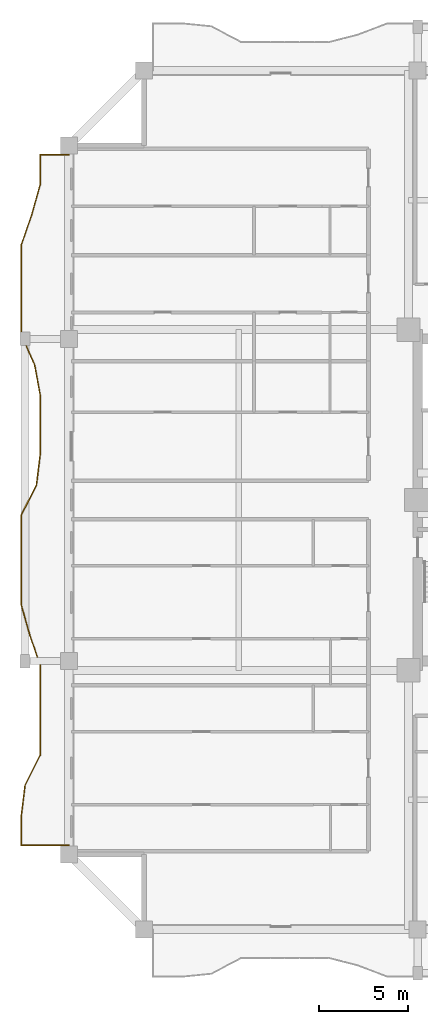
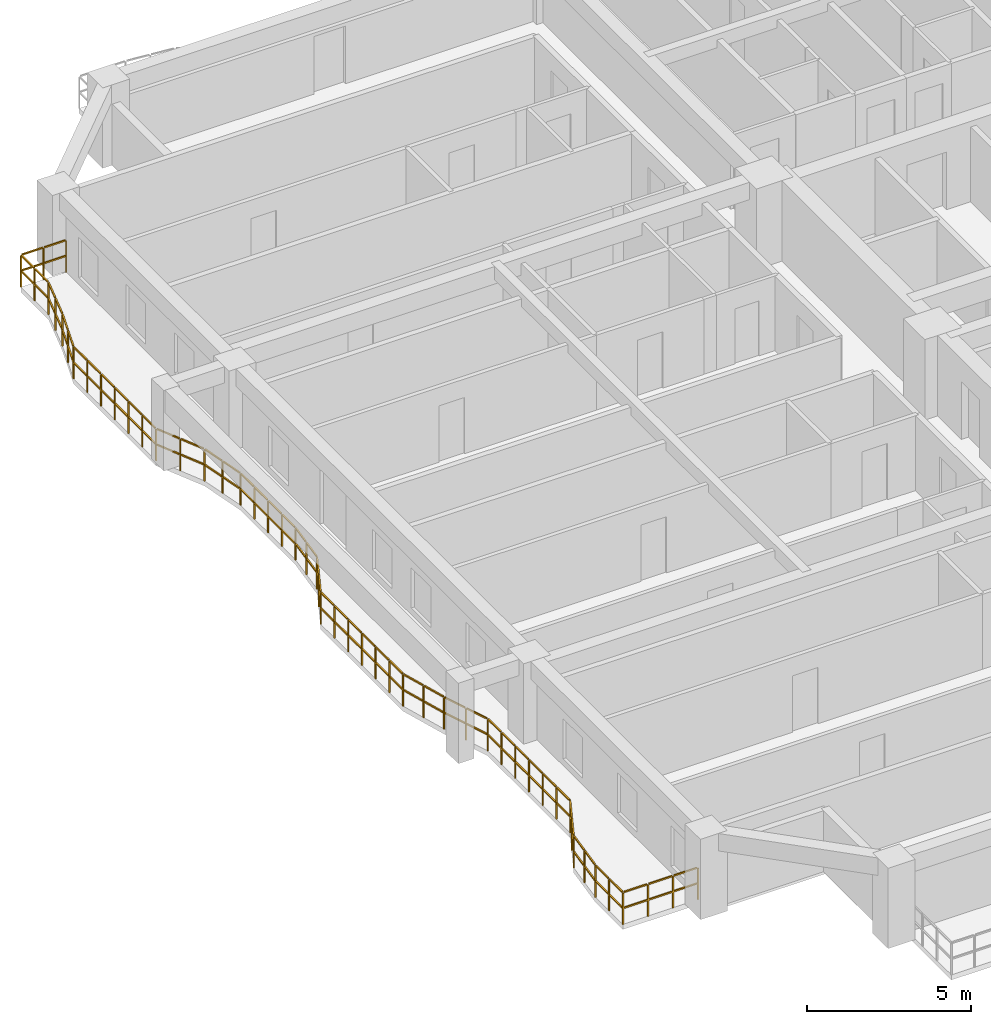
# One storey, part 11 of 14: 1 railing.
"""IFC4 building model written with IfcOpenShell, lengths in metres."""

from ifc_helpers import new_model, si_unit, direction, frame, origin, origin_2d, place, context, subcontext, project, spatial, rectangle, extrude, material, type_object, element, save


model = new_model("IFC4")

# Units and contexts
model_context = context("Model", 3, precision=1e-05, world=origin(), true_north=direction((0.0, 1.0)))
body_context = subcontext(model_context, "Body", "Model", "MODEL_VIEW")
ifc_project = project(units=[si_unit("LENGTHUNIT", "METRE"), si_unit("AREAUNIT", "SQUARE_METRE"), si_unit("VOLUMEUNIT", "CUBIC_METRE"), si_unit("PLANEANGLEUNIT", "RADIAN"), si_unit("MASSUNIT", "GRAM", prefix="KILO")], contexts=[model_context])

# Site, building, storey
site_placement = place(None, origin())
site = spatial("IfcSite", under=ifc_project, at=site_placement, CompositionType="ELEMENT")
building_placement = place(site_placement, origin())
building = spatial("IfcBuilding", under=site, at=building_placement, Name="Saelheon Loggia Tower", CompositionType="ELEMENT")
storey_placement = place(building_placement, frame((0.0, 0.0, 119.85009765625)))
storey = spatial("IfcBuildingStorey", under=building, at=storey_placement, Name="L38", CompositionType="ELEMENT", Elevation=119.85009765625)

# Railing
ifc_material = material(Name="Architectural Precast Concrete and Laminated Glass Guard", Category="concrete")
railing_type = type_object("IfcRailingType", Name="Guard_Loggia_RL_LOG", PredefinedType="BALUSTRADE", material=ifc_material)
railing_placement = place(storey_placement, frame((12.0, 46.300048828125, 0.0)))
element("IfcRailing", 1, at=railing_placement, inside=storey, type_object=railing_type, Name="L38 West Loggia Balustrade", PredefinedType="BALUSTRADE", context=body_context, shape_type="SweptSolid", body=[
    extrude(rectangle(XDim=0.048095703125, YDim=0.048095703125, at=origin_2d()), frame((-0.033203125, 0.0, 1.19580078125), z_axis=(-1.0, 0.0, 0.0), x_axis=(0.0, -1.0, 0.0)), (0.0, 0.0, 1.0), 0.733642578125),
    extrude(rectangle(XDim=0.048095703125, YDim=0.048095703125, at=origin_2d()), frame((-0.033203125, 0.0, 0.60986328125), z_axis=(-1.0, 0.0, 0.0), x_axis=(0.0, -1.0, 0.0)), (0.0, 0.0, 1.0), 0.733642578125),
    extrude(rectangle(XDim=0.048095703125, YDim=0.048095703125, at=origin_2d()), frame((-0.833251953125, 0.0, 1.19580078125), z_axis=(-1.0, 0.0, 0.0), x_axis=(0.0, -1.0, 0.0)), (0.0, 0.0, 1.0), 0.733642578125),
    extrude(rectangle(XDim=0.048095703125, YDim=0.048095703125, at=origin_2d()), frame((-0.833251953125, 0.0, 0.60986328125), z_axis=(-1.0, 0.0, 0.0), x_axis=(0.0, -1.0, 0.0)), (0.0, 0.0, 1.0), 0.733642578125),
    extrude(rectangle(XDim=0.048095703125, YDim=0.048095703125, at=origin_2d()), frame((-1.60009765625, -0.033203125, 1.19580078125), z_axis=(0.0, -1.0, 0.0), x_axis=(1.0, 0.0, 0.0)), (0.0, 0.0, 1.0), 0.772705078125),
    extrude(rectangle(XDim=0.048095703125, YDim=0.048095703125, at=origin_2d()), frame((-1.60009765625, -0.033203125, 0.60986328125), z_axis=(0.0, -1.0, 0.0), x_axis=(1.0, 0.0, 0.0)), (0.0, 0.0, 1.0), 0.772705078125),
    extrude(rectangle(XDim=0.048095703125, YDim=0.048095703125, at=origin_2d()), frame((-1.60009765625, -0.87255859375, 1.19580078125), z_axis=(0.0, -1.0, 0.0), x_axis=(1.0, 0.0, 0.0)), (0.0, 0.0, 1.0), 0.772705078125),
    extrude(rectangle(XDim=0.048095703125, YDim=0.048095703125, at=origin_2d()), frame((-1.60009765625, -0.87255859375, 0.60986328125), z_axis=(0.0, -1.0, 0.0), x_axis=(1.0, 0.0, 0.0)), (0.0, 0.0, 1.0), 0.772705078125),
    extrude(rectangle(XDim=0.048095703125, YDim=0.048095703125, at=origin_2d()), frame((-1.609130859375, -1.71044921875, 1.19580078125), z_axis=(-0.270741520797, -0.962652080929, 0.0), x_axis=(0.962652080929, -0.270741520797, 0.0)), (0.0, 0.0, 1.0), 0.80517578125),
    extrude(rectangle(XDim=0.048095703125, YDim=0.048095703125, at=origin_2d()), frame((-1.609130859375, -1.71044921875, 0.60986328125), z_axis=(-0.270741520797, -0.962652080929, 0.0), x_axis=(0.962652080929, -0.270741520797, 0.0)), (0.0, 0.0, 1.0), 0.80517578125),
    extrude(rectangle(XDim=0.048095703125, YDim=0.048095703125, at=origin_2d()), frame((-1.844970703125, -2.549560546875, 1.19580078125), z_axis=(-0.270741520797, -0.962652080929, 0.0), x_axis=(0.962652080929, -0.270741520797, 0.0)), (0.0, 0.0, 1.0), 0.80517578125),
    extrude(rectangle(XDim=0.048095703125, YDim=0.048095703125, at=origin_2d()), frame((-1.844970703125, -2.549560546875, 0.60986328125), z_axis=(-0.270741520797, -0.962652080929, 0.0), x_axis=(0.962652080929, -0.270741520797, 0.0)), (0.0, 0.0, 1.0), 0.80517578125),
    extrude(rectangle(XDim=0.048095703125, YDim=0.048095703125, at=origin_2d()), frame((-2.082763671875, -3.387939453125, 1.19580078125), z_axis=(-0.32553712792, -0.945529258323, 0.0), x_axis=(0.945529258323, -0.32553712792, 0.0)), (0.0, 0.0, 1.0), 0.821044921875),
    extrude(rectangle(XDim=0.048095703125, YDim=0.048095703125, at=origin_2d()), frame((-2.082763671875, -3.387939453125, 0.60986328125), z_axis=(-0.32553712792, -0.945529258323, 0.0), x_axis=(0.945529258323, -0.32553712792, 0.0)), (0.0, 0.0, 1.0), 0.821044921875),
    extrude(rectangle(XDim=0.048095703125, YDim=0.048095703125, at=origin_2d()), frame((-2.371826171875, -4.22705078125, 1.19580078125), z_axis=(-0.32553712792, -0.945529258323, 0.0), x_axis=(0.945529258323, -0.32553712792, 0.0)), (0.0, 0.0, 1.0), 0.821044921875),
    extrude(rectangle(XDim=0.048095703125, YDim=0.048095703125, at=origin_2d()), frame((-2.371826171875, -4.22705078125, 0.60986328125), z_axis=(-0.32553712792, -0.945529258323, 0.0), x_axis=(0.945529258323, -0.32553712792, 0.0)), (0.0, 0.0, 1.0), 0.821044921875),
    extrude(rectangle(XDim=0.048095703125, YDim=0.048095703125, at=origin_2d()), frame((-2.64990234375, -5.068115234375, 1.19580078125), z_axis=(0.0, -1.0, 0.0), x_axis=(1.0, 0.0, 0.0)), (0.0, 0.0, 1.0), 0.772705078125),
    extrude(rectangle(XDim=0.048095703125, YDim=0.048095703125, at=origin_2d()), frame((-2.64990234375, -5.068115234375, 0.60986328125), z_axis=(0.0, -1.0, 0.0), x_axis=(1.0, 0.0, 0.0)), (0.0, 0.0, 1.0), 0.772705078125),
    extrude(rectangle(XDim=0.048095703125, YDim=0.048095703125, at=origin_2d()), frame((-2.64990234375, -5.9072265625, 1.19580078125), z_axis=(0.0, -1.0, 0.0), x_axis=(1.0, 0.0, 0.0)), (0.0, 0.0, 1.0), 0.772705078125),
    extrude(rectangle(XDim=0.048095703125, YDim=0.048095703125, at=origin_2d()), frame((-2.64990234375, -5.9072265625, 0.60986328125), z_axis=(0.0, -1.0, 0.0), x_axis=(1.0, 0.0, 0.0)), (0.0, 0.0, 1.0), 0.772705078125),
    extrude(rectangle(XDim=0.048095703125, YDim=0.048095703125, at=origin_2d()), frame((-2.64990234375, -6.746337890625, 1.19580078125), z_axis=(0.0, -1.0, 0.0), x_axis=(1.0, 0.0, 0.0)), (0.0, 0.0, 1.0), 0.772705078125),
    extrude(rectangle(XDim=0.048095703125, YDim=0.048095703125, at=origin_2d()), frame((-2.64990234375, -6.746337890625, 0.60986328125), z_axis=(0.0, -1.0, 0.0), x_axis=(1.0, 0.0, 0.0)), (0.0, 0.0, 1.0), 0.772705078125),
    extrude(rectangle(XDim=0.048095703125, YDim=0.048095703125, at=origin_2d()), frame((-2.64990234375, -7.58544921875, 1.19580078125), z_axis=(0.0, -1.0, 0.0), x_axis=(1.0, 0.0, 0.0)), (0.0, 0.0, 1.0), 0.772705078125),
    extrude(rectangle(XDim=0.048095703125, YDim=0.048095703125, at=origin_2d()), frame((-2.64990234375, -7.58544921875, 0.60986328125), z_axis=(0.0, -1.0, 0.0), x_axis=(1.0, 0.0, 0.0)), (0.0, 0.0, 1.0), 0.772705078125),
    extrude(rectangle(XDim=0.048095703125, YDim=0.048095703125, at=origin_2d()), frame((-2.64990234375, -8.424560546875, 1.19580078125), z_axis=(0.0, -1.0, 0.0), x_axis=(1.0, 0.0, 0.0)), (0.0, 0.0, 1.0), 0.772705078125),
    extrude(rectangle(XDim=0.048095703125, YDim=0.048095703125, at=origin_2d()), frame((-2.64990234375, -8.424560546875, 0.60986328125), z_axis=(0.0, -1.0, 0.0), x_axis=(1.0, 0.0, 0.0)), (0.0, 0.0, 1.0), 0.772705078125),
    extrude(rectangle(XDim=0.048095703125, YDim=0.048095703125, at=origin_2d()), frame((-2.64990234375, -9.263671875, 1.19580078125), z_axis=(0.0, -1.0, 0.0), x_axis=(1.0, 0.0, 0.0)), (0.0, 0.0, 1.0), 0.772705078125),
    extrude(rectangle(XDim=0.048095703125, YDim=0.048095703125, at=origin_2d()), frame((-2.64990234375, -9.263671875, 0.60986328125), z_axis=(0.0, -1.0, 0.0), x_axis=(1.0, 0.0, 0.0)), (0.0, 0.0, 1.0), 0.772705078125),
    extrude(rectangle(XDim=0.048095703125, YDim=0.048095703125, at=origin_2d()), frame((-2.636474609375, -10.099853515625, 1.19580078125), z_axis=(0.404458935898, -0.91455615966, 0.0), x_axis=(0.91455615966, 0.404458935898, 0.0)), (0.0, 0.0, 1.0), 0.85107421875),
    extrude(rectangle(XDim=0.048095703125, YDim=0.048095703125, at=origin_2d()), frame((-2.636474609375, -10.099853515625, 0.60986328125), z_axis=(0.404458935898, -0.91455615966, 0.0), x_axis=(0.91455615966, 0.404458935898, 0.0)), (0.0, 0.0, 1.0), 0.85107421875),
    extrude(rectangle(XDim=0.048095703125, YDim=0.048095703125, at=origin_2d()), frame((-2.265380859375, -10.93896484375, 1.19580078125), z_axis=(0.404458935898, -0.91455615966, 0.0), x_axis=(0.91455615966, 0.404458935898, 0.0)), (0.0, 0.0, 1.0), 0.85107421875),
    extrude(rectangle(XDim=0.048095703125, YDim=0.048095703125, at=origin_2d()), frame((-2.265380859375, -10.93896484375, 0.60986328125), z_axis=(0.404458935898, -0.91455615966, 0.0), x_axis=(0.91455615966, 0.404458935898, 0.0)), (0.0, 0.0, 1.0), 0.85107421875),
    extrude(rectangle(XDim=0.048095703125, YDim=0.048095703125, at=origin_2d()), frame((-1.901611328125, -11.780517578125, 1.19580078125), z_axis=(0.180270193892, -0.983617129372, 0.0), x_axis=(0.983617129372, 0.180270193892, 0.0)), (0.0, 0.0, 1.0), 0.78662109375),
    extrude(rectangle(XDim=0.048095703125, YDim=0.048095703125, at=origin_2d()), frame((-1.901611328125, -11.780517578125, 0.60986328125), z_axis=(0.180270193892, -0.983617129372, 0.0), x_axis=(0.983617129372, 0.180270193892, 0.0)), (0.0, 0.0, 1.0), 0.78662109375),
    extrude(rectangle(XDim=0.048095703125, YDim=0.048095703125, at=origin_2d()), frame((-1.747802734375, -12.61962890625, 1.19580078125), z_axis=(0.180270193892, -0.983617129372, 0.0), x_axis=(0.983617129372, 0.180270193892, 0.0)), (0.0, 0.0, 1.0), 0.78662109375),
    extrude(rectangle(XDim=0.048095703125, YDim=0.048095703125, at=origin_2d()), frame((-1.747802734375, -12.61962890625, 0.60986328125), z_axis=(0.180270193892, -0.983617129372, 0.0), x_axis=(0.983617129372, 0.180270193892, 0.0)), (0.0, 0.0, 1.0), 0.78662109375),
    extrude(rectangle(XDim=0.048095703125, YDim=0.048095703125, at=origin_2d()), frame((-1.60009765625, -13.45947265625, 1.19580078125), z_axis=(0.0, -1.0, 0.0), x_axis=(1.0, 0.0, 0.0)), (0.0, 0.0, 1.0), 0.7724609375),
    extrude(rectangle(XDim=0.048095703125, YDim=0.048095703125, at=origin_2d()), frame((-1.60009765625, -13.45947265625, 0.60986328125), z_axis=(0.0, -1.0, 0.0), x_axis=(1.0, 0.0, 0.0)), (0.0, 0.0, 1.0), 0.7724609375),
    extrude(rectangle(XDim=0.048095703125, YDim=0.048095703125, at=origin_2d()), frame((-1.60009765625, -14.298583984375, 1.19580078125), z_axis=(0.0, -1.0, 0.0), x_axis=(1.0, 0.0, 0.0)), (0.0, 0.0, 1.0), 0.7724609375),
    extrude(rectangle(XDim=0.048095703125, YDim=0.048095703125, at=origin_2d()), frame((-1.60009765625, -14.298583984375, 0.60986328125), z_axis=(0.0, -1.0, 0.0), x_axis=(1.0, 0.0, 0.0)), (0.0, 0.0, 1.0), 0.7724609375),
    extrude(rectangle(XDim=0.048095703125, YDim=0.048095703125, at=origin_2d()), frame((-1.60009765625, -15.137451171875, 1.19580078125), z_axis=(0.0, -1.0, 0.0), x_axis=(1.0, 0.0, 0.0)), (0.0, 0.0, 1.0), 0.772705078125),
    extrude(rectangle(XDim=0.048095703125, YDim=0.048095703125, at=origin_2d()), frame((-1.60009765625, -15.137451171875, 0.60986328125), z_axis=(0.0, -1.0, 0.0), x_axis=(1.0, 0.0, 0.0)), (0.0, 0.0, 1.0), 0.772705078125),
    extrude(rectangle(XDim=0.048095703125, YDim=0.048095703125, at=origin_2d()), frame((-1.60009765625, -15.976806640625, 1.19580078125), z_axis=(0.0, -1.0, 0.0), x_axis=(1.0, 0.0, 0.0)), (0.0, 0.0, 1.0), 0.772705078125),
    extrude(rectangle(XDim=0.048095703125, YDim=0.048095703125, at=origin_2d()), frame((-1.60009765625, -15.976806640625, 0.60986328125), z_axis=(0.0, -1.0, 0.0), x_axis=(1.0, 0.0, 0.0)), (0.0, 0.0, 1.0), 0.772705078125),
    extrude(rectangle(XDim=0.048095703125, YDim=0.048095703125, at=origin_2d()), frame((-1.604248046875, -16.815673828125, 1.19580078125), z_axis=(-0.122008589262, -0.992529044485, 0.0), x_axis=(0.992529044485, -0.122008589262, 0.0)), (0.0, 0.0, 1.0), 0.779052734375),
    extrude(rectangle(XDim=0.048095703125, YDim=0.048095703125, at=origin_2d()), frame((-1.604248046875, -16.815673828125, 0.60986328125), z_axis=(-0.122008589262, -0.992529044485, 0.0), x_axis=(0.992529044485, -0.122008589262, 0.0)), (0.0, 0.0, 1.0), 0.779052734375),
    extrude(rectangle(XDim=0.048095703125, YDim=0.048095703125, at=origin_2d()), frame((-1.707275390625, -17.65478515625, 1.19580078125), z_axis=(-0.122008589262, -0.992529044485, 0.0), x_axis=(0.992529044485, -0.122008589262, 0.0)), (0.0, 0.0, 1.0), 0.779052734375),
    extrude(rectangle(XDim=0.048095703125, YDim=0.048095703125, at=origin_2d()), frame((-1.707275390625, -17.65478515625, 0.60986328125), z_axis=(-0.122008589262, -0.992529044485, 0.0), x_axis=(0.992529044485, -0.122008589262, 0.0)), (0.0, 0.0, 1.0), 0.779052734375),
    extrude(rectangle(XDim=0.048095703125, YDim=0.048095703125, at=origin_2d()), frame((-1.8212890625, -18.49072265625, 1.19580078125), z_axis=(-0.449084342629, -0.893489369386, 0.0), x_axis=(0.893489369386, -0.449084342629, 0.0)), (0.0, 0.0, 1.0), 0.87255859375),
    extrude(rectangle(XDim=0.048095703125, YDim=0.048095703125, at=origin_2d()), frame((-1.8212890625, -18.49072265625, 0.60986328125), z_axis=(-0.449084342629, -0.893489369386, 0.0), x_axis=(0.893489369386, -0.449084342629, 0.0)), (0.0, 0.0, 1.0), 0.87255859375),
    extrude(rectangle(XDim=0.048095703125, YDim=0.048095703125, at=origin_2d()), frame((-2.2431640625, -19.329833984375, 1.19580078125), z_axis=(-0.449084342629, -0.893489369386, 0.0), x_axis=(0.893489369386, -0.449084342629, 0.0)), (0.0, 0.0, 1.0), 0.87255859375),
    extrude(rectangle(XDim=0.048095703125, YDim=0.048095703125, at=origin_2d()), frame((-2.2431640625, -19.329833984375, 0.60986328125), z_axis=(-0.449084342629, -0.893489369386, 0.0), x_axis=(0.893489369386, -0.449084342629, 0.0)), (0.0, 0.0, 1.0), 0.87255859375),
    extrude(rectangle(XDim=0.048095703125, YDim=0.048095703125, at=origin_2d()), frame((-2.64990234375, -20.17236328125, 1.19580078125), z_axis=(0.0, -1.0, 0.0), x_axis=(1.0, 0.0, 0.0)), (0.0, 0.0, 1.0), 0.772705078125),
    extrude(rectangle(XDim=0.048095703125, YDim=0.048095703125, at=origin_2d()), frame((-2.64990234375, -20.17236328125, 0.60986328125), z_axis=(0.0, -1.0, 0.0), x_axis=(1.0, 0.0, 0.0)), (0.0, 0.0, 1.0), 0.772705078125),
    extrude(rectangle(XDim=0.048095703125, YDim=0.048095703125, at=origin_2d()), frame((-2.64990234375, -21.011474609375, 1.19580078125), z_axis=(0.0, -1.0, 0.0), x_axis=(1.0, 0.0, 0.0)), (0.0, 0.0, 1.0), 0.772705078125),
    extrude(rectangle(XDim=0.048095703125, YDim=0.048095703125, at=origin_2d()), frame((-2.64990234375, -21.011474609375, 0.60986328125), z_axis=(0.0, -1.0, 0.0), x_axis=(1.0, 0.0, 0.0)), (0.0, 0.0, 1.0), 0.772705078125),
    extrude(rectangle(XDim=0.048095703125, YDim=0.048095703125, at=origin_2d()), frame((-2.64990234375, -21.8505859375, 1.19580078125), z_axis=(0.0, -1.0, 0.0), x_axis=(1.0, 0.0, 0.0)), (0.0, 0.0, 1.0), 0.772705078125),
    extrude(rectangle(XDim=0.048095703125, YDim=0.048095703125, at=origin_2d()), frame((-2.64990234375, -21.8505859375, 0.60986328125), z_axis=(0.0, -1.0, 0.0), x_axis=(1.0, 0.0, 0.0)), (0.0, 0.0, 1.0), 0.772705078125),
    extrude(rectangle(XDim=0.048095703125, YDim=0.048095703125, at=origin_2d()), frame((-2.64990234375, -22.68994140625, 1.19580078125), z_axis=(0.0, -1.0, 0.0), x_axis=(1.0, 0.0, 0.0)), (0.0, 0.0, 1.0), 0.772705078125),
    extrude(rectangle(XDim=0.048095703125, YDim=0.048095703125, at=origin_2d()), frame((-2.64990234375, -22.68994140625, 0.60986328125), z_axis=(0.0, -1.0, 0.0), x_axis=(1.0, 0.0, 0.0)), (0.0, 0.0, 1.0), 0.772705078125),
    extrude(rectangle(XDim=0.048095703125, YDim=0.048095703125, at=origin_2d()), frame((-2.64990234375, -23.529052734375, 1.19580078125), z_axis=(0.0, -1.0, 0.0), x_axis=(1.0, 0.0, 0.0)), (0.0, 0.0, 1.0), 0.7724609375),
    extrude(rectangle(XDim=0.048095703125, YDim=0.048095703125, at=origin_2d()), frame((-2.64990234375, -23.529052734375, 0.60986328125), z_axis=(0.0, -1.0, 0.0), x_axis=(1.0, 0.0, 0.0)), (0.0, 0.0, 1.0), 0.7724609375),
    extrude(rectangle(XDim=0.048095703125, YDim=0.048095703125, at=origin_2d()), frame((-2.64990234375, -24.3681640625, 1.19580078125), z_axis=(0.0, -1.0, 0.0), x_axis=(1.0, 0.0, 0.0)), (0.0, 0.0, 1.0), 0.7724609375),
    extrude(rectangle(XDim=0.048095703125, YDim=0.048095703125, at=origin_2d()), frame((-2.64990234375, -24.3681640625, 0.60986328125), z_axis=(0.0, -1.0, 0.0), x_axis=(1.0, 0.0, 0.0)), (0.0, 0.0, 1.0), 0.7724609375),
    extrude(rectangle(XDim=0.048095703125, YDim=0.048095703125, at=origin_2d()), frame((-2.640869140625, -25.205810546875, 1.19580078125), z_axis=(0.271706191311, -0.962380250007, 0.0), x_axis=(0.962380250007, 0.271706191311, 0.0)), (0.0, 0.0, 1.0), 0.8056640625),
    extrude(rectangle(XDim=0.048095703125, YDim=0.048095703125, at=origin_2d()), frame((-2.640869140625, -25.205810546875, 0.60986328125), z_axis=(0.271706191311, -0.962380250007, 0.0), x_axis=(0.962380250007, 0.271706191311, 0.0)), (0.0, 0.0, 1.0), 0.8056640625),
    extrude(rectangle(XDim=0.048095703125, YDim=0.048095703125, at=origin_2d()), frame((-2.404052734375, -26.045166015625, 1.19580078125), z_axis=(0.271706191311, -0.962380250007, 0.0), x_axis=(0.962380250007, 0.271706191311, 0.0)), (0.0, 0.0, 1.0), 0.8056640625),
    extrude(rectangle(XDim=0.048095703125, YDim=0.048095703125, at=origin_2d()), frame((-2.404052734375, -26.045166015625, 0.60986328125), z_axis=(0.271706191311, -0.962380250007, 0.0), x_axis=(0.962380250007, 0.271706191311, 0.0)), (0.0, 0.0, 1.0), 0.8056640625),
    extrude(rectangle(XDim=0.048095703125, YDim=0.048095703125, at=origin_2d()), frame((-2.165283203125, -26.8837890625, 1.19580078125), z_axis=(0.324595186359, -0.945853035621, 0.0), x_axis=(0.945853035621, 0.324595186359, 0.0)), (0.0, 0.0, 1.0), 0.82080078125),
    extrude(rectangle(XDim=0.048095703125, YDim=0.048095703125, at=origin_2d()), frame((-2.165283203125, -26.8837890625, 0.60986328125), z_axis=(0.324595186359, -0.945853035621, 0.0), x_axis=(0.945853035621, 0.324595186359, 0.0)), (0.0, 0.0, 1.0), 0.82080078125),
    extrude(rectangle(XDim=0.048095703125, YDim=0.048095703125, at=origin_2d()), frame((-1.877197265625, -27.722900390625, 1.19580078125), z_axis=(0.324595186359, -0.945853035621, 0.0), x_axis=(0.945853035621, 0.324595186359, 0.0)), (0.0, 0.0, 1.0), 0.82080078125),
    extrude(rectangle(XDim=0.048095703125, YDim=0.048095703125, at=origin_2d()), frame((-1.877197265625, -27.722900390625, 0.60986328125), z_axis=(0.324595186359, -0.945853035621, 0.0), x_axis=(0.945853035621, 0.324595186359, 0.0)), (0.0, 0.0, 1.0), 0.82080078125),
    extrude(rectangle(XDim=0.048095703125, YDim=0.048095703125, at=origin_2d()), frame((-1.60009765625, -28.563720703125, 1.19580078125), z_axis=(0.0, -1.0, 0.0), x_axis=(1.0, 0.0, 0.0)), (0.0, 0.0, 1.0), 0.772705078125),
    extrude(rectangle(XDim=0.048095703125, YDim=0.048095703125, at=origin_2d()), frame((-1.60009765625, -28.563720703125, 0.60986328125), z_axis=(0.0, -1.0, 0.0), x_axis=(1.0, 0.0, 0.0)), (0.0, 0.0, 1.0), 0.772705078125),
    extrude(rectangle(XDim=0.048095703125, YDim=0.048095703125, at=origin_2d()), frame((-1.60009765625, -29.40283203125, 1.19580078125), z_axis=(0.0, -1.0, 0.0), x_axis=(1.0, 0.0, 0.0)), (0.0, 0.0, 1.0), 0.772705078125),
    extrude(rectangle(XDim=0.048095703125, YDim=0.048095703125, at=origin_2d()), frame((-1.60009765625, -29.40283203125, 0.60986328125), z_axis=(0.0, -1.0, 0.0), x_axis=(1.0, 0.0, 0.0)), (0.0, 0.0, 1.0), 0.772705078125),
    extrude(rectangle(XDim=0.048095703125, YDim=0.048095703125, at=origin_2d()), frame((-1.60009765625, -30.241943359375, 1.19580078125), z_axis=(0.0, -1.0, 0.0), x_axis=(1.0, 0.0, 0.0)), (0.0, 0.0, 1.0), 0.772705078125),
    extrude(rectangle(XDim=0.048095703125, YDim=0.048095703125, at=origin_2d()), frame((-1.60009765625, -30.241943359375, 0.60986328125), z_axis=(0.0, -1.0, 0.0), x_axis=(1.0, 0.0, 0.0)), (0.0, 0.0, 1.0), 0.772705078125),
    extrude(rectangle(XDim=0.048095703125, YDim=0.048095703125, at=origin_2d()), frame((-1.60009765625, -31.0810546875, 1.19580078125), z_axis=(0.0, -1.0, 0.0), x_axis=(1.0, 0.0, 0.0)), (0.0, 0.0, 1.0), 0.772705078125),
    extrude(rectangle(XDim=0.048095703125, YDim=0.048095703125, at=origin_2d()), frame((-1.60009765625, -31.0810546875, 0.60986328125), z_axis=(0.0, -1.0, 0.0), x_axis=(1.0, 0.0, 0.0)), (0.0, 0.0, 1.0), 0.772705078125),
    extrude(rectangle(XDim=0.048095703125, YDim=0.048095703125, at=origin_2d()), frame((-1.60009765625, -31.920166015625, 1.19580078125), z_axis=(0.0, -1.0, 0.0), x_axis=(1.0, 0.0, 0.0)), (0.0, 0.0, 1.0), 0.772705078125),
    extrude(rectangle(XDim=0.048095703125, YDim=0.048095703125, at=origin_2d()), frame((-1.60009765625, -31.920166015625, 0.60986328125), z_axis=(0.0, -1.0, 0.0), x_axis=(1.0, 0.0, 0.0)), (0.0, 0.0, 1.0), 0.772705078125),
    extrude(rectangle(XDim=0.048095703125, YDim=0.048095703125, at=origin_2d()), frame((-1.60009765625, -32.75927734375, 1.19580078125), z_axis=(0.0, -1.0, 0.0), x_axis=(1.0, 0.0, 0.0)), (0.0, 0.0, 1.0), 0.772705078125),
    extrude(rectangle(XDim=0.048095703125, YDim=0.048095703125, at=origin_2d()), frame((-1.60009765625, -32.75927734375, 0.60986328125), z_axis=(0.0, -1.0, 0.0), x_axis=(1.0, 0.0, 0.0)), (0.0, 0.0, 1.0), 0.772705078125),
    extrude(rectangle(XDim=0.048095703125, YDim=0.048095703125, at=origin_2d()), frame((-1.614990234375, -33.594970703125, 1.19580078125), z_axis=(-0.448824634664, -0.893619856158, 0.0), x_axis=(0.893619856158, -0.448824634664, 0.0)), (0.0, 0.0, 1.0), 0.87255859375),
    extrude(rectangle(XDim=0.048095703125, YDim=0.048095703125, at=origin_2d()), frame((-1.614990234375, -33.594970703125, 0.60986328125), z_axis=(-0.448824634664, -0.893619856158, 0.0), x_axis=(0.893619856158, -0.448824634664, 0.0)), (0.0, 0.0, 1.0), 0.87255859375),
    extrude(rectangle(XDim=0.048095703125, YDim=0.048095703125, at=origin_2d()), frame((-2.03662109375, -34.43408203125, 1.19580078125), z_axis=(-0.448824634664, -0.893619856158, 0.0), x_axis=(0.893619856158, -0.448824634664, 0.0)), (0.0, 0.0, 1.0), 0.87255859375),
    extrude(rectangle(XDim=0.048095703125, YDim=0.048095703125, at=origin_2d()), frame((-2.03662109375, -34.43408203125, 0.60986328125), z_axis=(-0.448824634664, -0.893619856158, 0.0), x_axis=(0.893619856158, -0.448824634664, 0.0)), (0.0, 0.0, 1.0), 0.87255859375),
    extrude(rectangle(XDim=0.048095703125, YDim=0.048095703125, at=origin_2d()), frame((-2.447265625, -35.276611328125, 1.19580078125), z_axis=(-0.122310580261, -0.992491875008, 0.0), x_axis=(0.992491875008, -0.122310580261, 0.0)), (0.0, 0.0, 1.0), 0.77880859375),
    extrude(rectangle(XDim=0.048095703125, YDim=0.048095703125, at=origin_2d()), frame((-2.447265625, -35.276611328125, 0.60986328125), z_axis=(-0.122310580261, -0.992491875008, 0.0), x_axis=(0.992491875008, -0.122310580261, 0.0)), (0.0, 0.0, 1.0), 0.77880859375),
    extrude(rectangle(XDim=0.048095703125, YDim=0.048095703125, at=origin_2d()), frame((-2.550537109375, -36.11572265625, 1.19580078125), z_axis=(-0.122310580261, -0.992491875008, 0.0), x_axis=(0.992491875008, -0.122310580261, 0.0)), (0.0, 0.0, 1.0), 0.77880859375),
    extrude(rectangle(XDim=0.048095703125, YDim=0.048095703125, at=origin_2d()), frame((-2.550537109375, -36.11572265625, 0.60986328125), z_axis=(-0.122310580261, -0.992491875008, 0.0), x_axis=(0.992491875008, -0.122310580261, 0.0)), (0.0, 0.0, 1.0), 0.77880859375),
    extrude(rectangle(XDim=0.048095703125, YDim=0.048095703125, at=origin_2d()), frame((-2.64990234375, -36.954833984375, 1.19580078125), z_axis=(0.0, -1.0, 0.0), x_axis=(1.0, 0.0, 0.0)), (0.0, 0.0, 1.0), 0.772705078125),
    extrude(rectangle(XDim=0.048095703125, YDim=0.048095703125, at=origin_2d()), frame((-2.64990234375, -36.954833984375, 0.60986328125), z_axis=(0.0, -1.0, 0.0), x_axis=(1.0, 0.0, 0.0)), (0.0, 0.0, 1.0), 0.772705078125),
    extrude(rectangle(XDim=0.048095703125, YDim=0.048095703125, at=origin_2d()), frame((-2.64990234375, -37.794189453125, 1.19580078125), z_axis=(0.0, -1.0, 0.0), x_axis=(1.0, 0.0, 0.0)), (0.0, 0.0, 1.0), 0.772705078125),
    extrude(rectangle(XDim=0.048095703125, YDim=0.048095703125, at=origin_2d()), frame((-2.64990234375, -37.794189453125, 0.60986328125), z_axis=(0.0, -1.0, 0.0), x_axis=(1.0, 0.0, 0.0)), (0.0, 0.0, 1.0), 0.772705078125),
    extrude(rectangle(XDim=0.048095703125, YDim=0.048095703125, at=origin_2d()), frame((-2.61669921875, -38.60009765625, 1.19580078125), z_axis=(1.0, 0.0, 0.0), x_axis=(0.0, 1.0, 0.0)), (0.0, 0.0, 1.0), 0.81689453125),
    extrude(rectangle(XDim=0.048095703125, YDim=0.048095703125, at=origin_2d()), frame((-2.61669921875, -38.60009765625, 0.60986328125), z_axis=(1.0, 0.0, 0.0), x_axis=(0.0, 1.0, 0.0)), (0.0, 0.0, 1.0), 0.81689453125),
    extrude(rectangle(XDim=0.048095703125, YDim=0.048095703125, at=origin_2d()), frame((-1.7333984375, -38.60009765625, 1.19580078125), z_axis=(1.0, 0.0, 0.0), x_axis=(0.0, 1.0, 0.0)), (0.0, 0.0, 1.0), 0.81689453125),
    extrude(rectangle(XDim=0.048095703125, YDim=0.048095703125, at=origin_2d()), frame((-1.7333984375, -38.60009765625, 0.60986328125), z_axis=(1.0, 0.0, 0.0), x_axis=(0.0, 1.0, 0.0)), (0.0, 0.0, 1.0), 0.81689453125),
    extrude(rectangle(XDim=0.048095703125, YDim=0.048095703125, at=origin_2d()), frame((-0.85009765625, -38.60009765625, 1.19580078125), z_axis=(1.0, 0.0, 0.0), x_axis=(0.0, 1.0, 0.0)), (0.0, 0.0, 1.0), 0.81689453125),
    extrude(rectangle(XDim=0.048095703125, YDim=0.048095703125, at=origin_2d()), frame((-0.85009765625, -38.60009765625, 0.60986328125), z_axis=(1.0, 0.0, 0.0), x_axis=(0.0, 1.0, 0.0)), (0.0, 0.0, 1.0), 0.81689453125),
    extrude(rectangle(XDim=0.0419921875, YDim=0.0419921875, at=origin_2d()), origin(), (0.0, 0.0, 1.0), 1.16796875),
    extrude(rectangle(XDim=0.0419921875, YDim=0.0419921875, at=origin_2d()), frame((-0.800048828125, 0.0, 0.0)), (0.0, 0.0, 1.0), 1.16796875),
    extrude(rectangle(XDim=0.0419921875, YDim=0.0419921875, at=origin_2d()), frame((-1.60009765625, 0.0, 0.0)), (0.0, 0.0, 1.0), 1.16796875),
    extrude(rectangle(XDim=0.0419921875, YDim=0.0419921875, at=origin_2d()), frame((-1.60009765625, -0.83935546875, 0.0)), (0.0, 0.0, 1.0), 1.16796875),
    extrude(rectangle(XDim=0.0419921875, YDim=0.0419921875, at=origin_2d()), frame((-1.60009765625, -1.678466796875, 0.0)), (0.0, 0.0, 1.0), 1.16796875),
    extrude(rectangle(XDim=0.0419921875, YDim=0.0419921875, at=origin_2d()), frame((-1.8359375, -2.517578125, 0.0)), (0.0, 0.0, 1.0), 1.16796875),
    extrude(rectangle(XDim=0.0419921875, YDim=0.0419921875, at=origin_2d()), frame((-2.072021484375, -3.3564453125, 0.0)), (0.0, 0.0, 1.0), 1.16796875),
    extrude(rectangle(XDim=0.0419921875, YDim=0.0419921875, at=origin_2d()), frame((-2.36083984375, -4.19580078125, 0.0)), (0.0, 0.0, 1.0), 1.16796875),
    extrude(rectangle(XDim=0.0419921875, YDim=0.0419921875, at=origin_2d()), frame((-2.64990234375, -5.034912109375, 0.0)), (0.0, 0.0, 1.0), 1.16796875),
    extrude(rectangle(XDim=0.0419921875, YDim=0.0419921875, at=origin_2d()), frame((-2.64990234375, -5.8740234375, 0.0)), (0.0, 0.0, 1.0), 1.16796875),
    extrude(rectangle(XDim=0.0419921875, YDim=0.0419921875, at=origin_2d()), frame((-2.64990234375, -6.713134765625, 0.0)), (0.0, 0.0, 1.0), 1.16796875),
    extrude(rectangle(XDim=0.0419921875, YDim=0.0419921875, at=origin_2d()), frame((-2.64990234375, -7.55224609375, 0.0)), (0.0, 0.0, 1.0), 1.16796875),
    extrude(rectangle(XDim=0.0419921875, YDim=0.0419921875, at=origin_2d()), frame((-2.64990234375, -8.391357421875, 0.0)), (0.0, 0.0, 1.0), 1.16796875),
    extrude(rectangle(XDim=0.0419921875, YDim=0.0419921875, at=origin_2d()), frame((-2.64990234375, -9.23046875, 0.0)), (0.0, 0.0, 1.0), 1.16796875),
    extrude(rectangle(XDim=0.0419921875, YDim=0.0419921875, at=origin_2d()), frame((-2.64990234375, -10.069580078125, 0.0)), (0.0, 0.0, 1.0), 1.16796875),
    extrude(rectangle(XDim=0.0419921875, YDim=0.0419921875, at=origin_2d()), frame((-2.27880859375, -10.90869140625, 0.0)), (0.0, 0.0, 1.0), 1.16796875),
    extrude(rectangle(XDim=0.0419921875, YDim=0.0419921875, at=origin_2d()), frame((-1.90771484375, -11.747802734375, 0.0)), (0.0, 0.0, 1.0), 1.16796875),
    extrude(rectangle(XDim=0.0419921875, YDim=0.0419921875, at=origin_2d()), frame((-1.75390625, -12.5869140625, 0.0)), (0.0, 0.0, 1.0), 1.16796875),
    extrude(rectangle(XDim=0.0419921875, YDim=0.0419921875, at=origin_2d()), frame((-1.60009765625, -13.42626953125, 0.0)), (0.0, 0.0, 1.0), 1.16796875),
    extrude(rectangle(XDim=0.0419921875, YDim=0.0419921875, at=origin_2d()), frame((-1.60009765625, -14.26513671875, 0.0)), (0.0, 0.0, 1.0), 1.16796875),
    extrude(rectangle(XDim=0.0419921875, YDim=0.0419921875, at=origin_2d()), frame((-1.60009765625, -15.104248046875, 0.0)), (0.0, 0.0, 1.0), 1.16796875),
    extrude(rectangle(XDim=0.0419921875, YDim=0.0419921875, at=origin_2d()), frame((-1.60009765625, -15.943359375, 0.0)), (0.0, 0.0, 1.0), 1.16796875),
    extrude(rectangle(XDim=0.0419921875, YDim=0.0419921875, at=origin_2d()), frame((-1.60009765625, -16.78271484375, 0.0)), (0.0, 0.0, 1.0), 1.16796875),
    extrude(rectangle(XDim=0.0419921875, YDim=0.0419921875, at=origin_2d()), frame((-1.703125, -17.621826171875, 0.0)), (0.0, 0.0, 1.0), 1.16796875),
    extrude(rectangle(XDim=0.0419921875, YDim=0.0419921875, at=origin_2d()), frame((-1.806396484375, -18.4609375, 0.0)), (0.0, 0.0, 1.0), 1.16796875),
    extrude(rectangle(XDim=0.0419921875, YDim=0.0419921875, at=origin_2d()), frame((-2.22802734375, -19.300048828125, 0.0)), (0.0, 0.0, 1.0), 1.16796875),
    extrude(rectangle(XDim=0.0419921875, YDim=0.0419921875, at=origin_2d()), frame((-2.64990234375, -20.13916015625, 0.0)), (0.0, 0.0, 1.0), 1.16796875),
    extrude(rectangle(XDim=0.0419921875, YDim=0.0419921875, at=origin_2d()), frame((-2.64990234375, -20.978271484375, 0.0)), (0.0, 0.0, 1.0), 1.16796875),
    extrude(rectangle(XDim=0.0419921875, YDim=0.0419921875, at=origin_2d()), frame((-2.64990234375, -21.8173828125, 0.0)), (0.0, 0.0, 1.0), 1.16796875),
    extrude(rectangle(XDim=0.0419921875, YDim=0.0419921875, at=origin_2d()), frame((-2.64990234375, -22.65673828125, 0.0)), (0.0, 0.0, 1.0), 1.16796875),
    extrude(rectangle(XDim=0.0419921875, YDim=0.0419921875, at=origin_2d()), frame((-2.64990234375, -23.495849609375, 0.0)), (0.0, 0.0, 1.0), 1.16796875),
    extrude(rectangle(XDim=0.0419921875, YDim=0.0419921875, at=origin_2d()), frame((-2.64990234375, -24.3349609375, 0.0)), (0.0, 0.0, 1.0), 1.16796875),
    extrude(rectangle(XDim=0.0419921875, YDim=0.0419921875, at=origin_2d()), frame((-2.64990234375, -25.173828125, 0.0)), (0.0, 0.0, 1.0), 1.16796875),
    extrude(rectangle(XDim=0.0419921875, YDim=0.0419921875, at=origin_2d()), frame((-2.4130859375, -26.01318359375, 0.0)), (0.0, 0.0, 1.0), 1.16796875),
    extrude(rectangle(XDim=0.0419921875, YDim=0.0419921875, at=origin_2d()), frame((-2.176025390625, -26.852294921875, 0.0)), (0.0, 0.0, 1.0), 1.16796875),
    extrude(rectangle(XDim=0.0419921875, YDim=0.0419921875, at=origin_2d()), frame((-1.88818359375, -27.69140625, 0.0)), (0.0, 0.0, 1.0), 1.16796875),
    extrude(rectangle(XDim=0.0419921875, YDim=0.0419921875, at=origin_2d()), frame((-1.60009765625, -28.530517578125, 0.0)), (0.0, 0.0, 1.0), 1.16796875),
    extrude(rectangle(XDim=0.0419921875, YDim=0.0419921875, at=origin_2d()), frame((-1.60009765625, -29.36962890625, 0.0)), (0.0, 0.0, 1.0), 1.16796875),
    extrude(rectangle(XDim=0.0419921875, YDim=0.0419921875, at=origin_2d()), frame((-1.60009765625, -30.208740234375, 0.0)), (0.0, 0.0, 1.0), 1.16796875),
    extrude(rectangle(XDim=0.0419921875, YDim=0.0419921875, at=origin_2d()), frame((-1.60009765625, -31.0478515625, 0.0)), (0.0, 0.0, 1.0), 1.16796875),
    extrude(rectangle(XDim=0.0419921875, YDim=0.0419921875, at=origin_2d()), frame((-1.60009765625, -31.886962890625, 0.0)), (0.0, 0.0, 1.0), 1.16796875),
    extrude(rectangle(XDim=0.0419921875, YDim=0.0419921875, at=origin_2d()), frame((-1.60009765625, -32.72607421875, 0.0)), (0.0, 0.0, 1.0), 1.16796875),
    extrude(rectangle(XDim=0.0419921875, YDim=0.0419921875, at=origin_2d()), frame((-1.60009765625, -33.565185546875, 0.0)), (0.0, 0.0, 1.0), 1.16796875),
    extrude(rectangle(XDim=0.0419921875, YDim=0.0419921875, at=origin_2d()), frame((-2.021484375, -34.404296875, 0.0)), (0.0, 0.0, 1.0), 1.16796875),
    extrude(rectangle(XDim=0.0419921875, YDim=0.0419921875, at=origin_2d()), frame((-2.443115234375, -35.24365234375, 0.0)), (0.0, 0.0, 1.0), 1.16796875),
    extrude(rectangle(XDim=0.0419921875, YDim=0.0419921875, at=origin_2d()), frame((-2.54638671875, -36.08251953125, 0.0)), (0.0, 0.0, 1.0), 1.16796875),
    extrude(rectangle(XDim=0.0419921875, YDim=0.0419921875, at=origin_2d()), frame((-2.64990234375, -36.921630859375, 0.0)), (0.0, 0.0, 1.0), 1.16796875),
    extrude(rectangle(XDim=0.0419921875, YDim=0.0419921875, at=origin_2d()), frame((-2.64990234375, -37.7607421875, 0.0)), (0.0, 0.0, 1.0), 1.16796875),
    extrude(rectangle(XDim=0.0419921875, YDim=0.0419921875, at=origin_2d()), frame((-2.64990234375, -38.60009765625, 0.0)), (0.0, 0.0, 1.0), 1.16796875),
    extrude(rectangle(XDim=0.0419921875, YDim=0.0419921875, at=origin_2d()), frame((-1.7666015625, -38.60009765625, 0.0)), (0.0, 0.0, 1.0), 1.16796875),
    extrude(rectangle(XDim=0.0419921875, YDim=0.0419921875, at=origin_2d()), frame((-0.88330078125, -38.60009765625, 0.0)), (0.0, 0.0, 1.0), 1.16796875),
    extrude(rectangle(XDim=0.0419921875, YDim=0.0419921875, at=origin_2d()), frame((0.0, -38.60009765625, 0.0)), (0.0, 0.0, 1.0), 1.16796875),
])

save(model, "model.ifc")
